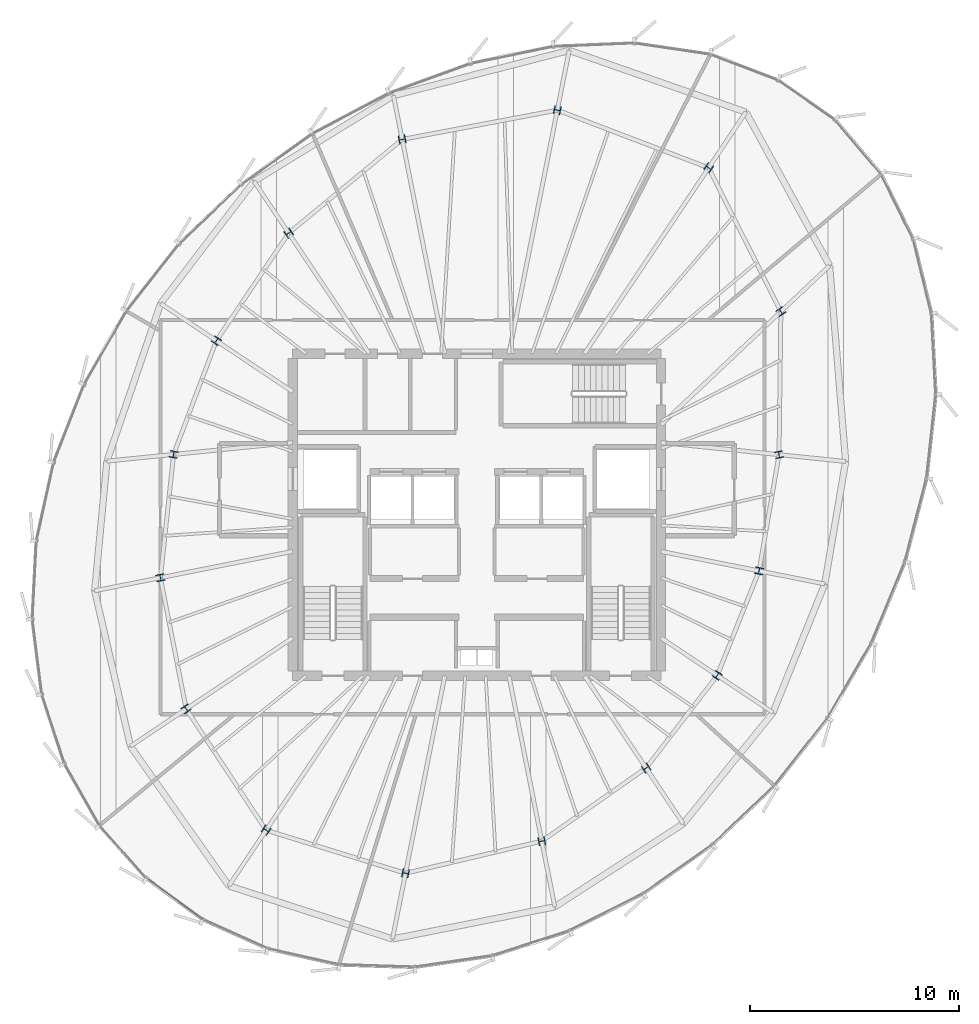
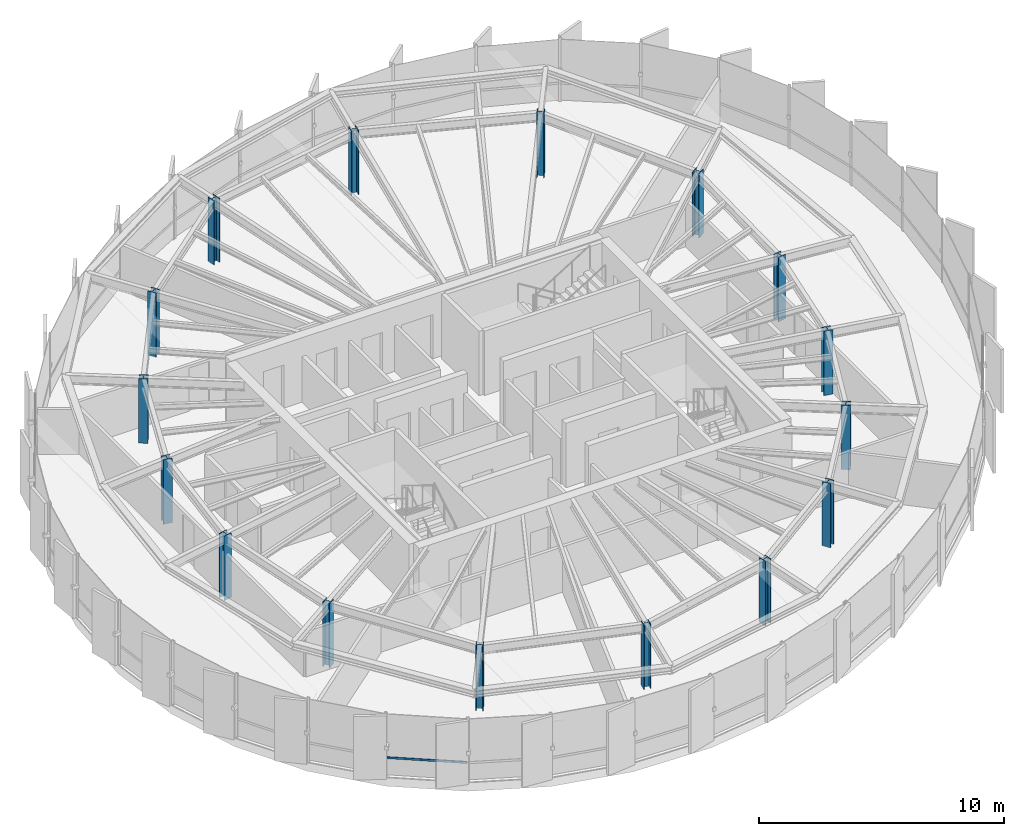
# One storey, part 1 of 36: 16 columns, 1 member, 1 element without a shape of its own.
"""IFC4 building model written with IfcOpenShell, lengths in metres."""

from ifc_helpers import new_model, si_unit, direction, frame, origin, origin_2d, place, context, subcontext, project, spatial, hollow_rectangle, i_section, extrude, source, transform, mapped, material, layer, layer_set, material_profile, profile_set, type_object, element, aggregate, save


model = new_model("IFC4")

# Units and contexts
model_context = context("Model", 3, precision=1e-05, world=origin(), true_north=direction((0.0, 1.0)))
body_context = subcontext(model_context, "Body", "Model", "MODEL_VIEW")
ifc_project = project(units=[si_unit("LENGTHUNIT", "METRE"), si_unit("AREAUNIT", "SQUARE_METRE"), si_unit("VOLUMEUNIT", "CUBIC_METRE"), si_unit("PLANEANGLEUNIT", "RADIAN"), si_unit("MASSUNIT", "GRAM", prefix="KILO"), si_unit("THERMODYNAMICTEMPERATUREUNIT", "KELVIN")], contexts=[model_context])

# Site, building, storey
site_placement = place(None, origin())
site = spatial("IfcSite", under=ifc_project, at=site_placement, CompositionType="ELEMENT")
building_placement = place(site_placement, origin())
building = spatial("IfcBuilding", under=site, at=building_placement, Name="Kethvar Cultural Tower", CompositionType="ELEMENT")
storey_placement = place(building_placement, frame((0.0, 0.0, 228.39990234375)))
storey = spatial("IfcBuildingStorey", under=building, at=storey_placement, Name="L59", CompositionType="ELEMENT", Elevation=228.39990234375)

# Columns
ifc_material_1 = material(Name="Steel S460M", Category="steel")
ifc_material_profile_1 = material_profile(ifc_material_1, i_section(OverallWidth=0.386962890625, OverallDepth=0.31591796875, WebThickness=0.0185546875, FlangeThickness=0.028076171875, FilletRadius=0.014892578125, at=origin_2d()), Name="Steel S460M — HD400x382")
ifc_profile_set_1 = profile_set([ifc_material_profile_1], Name="Steel S460M — HD400x382")
column_type = type_object("IfcColumnType", Name="COL-HD382", PredefinedType="COLUMN", material=ifc_profile_set_1)
shared_shape_1 = source(origin(), body_context, "Body", "SweptSolid", [
    extrude(i_section(OverallWidth=0.386962890625, OverallDepth=0.31591796875, WebThickness=0.0185546875, FlangeThickness=0.028076171875, FilletRadius=0.014892578125, at=origin_2d()), origin(), (0.0, 0.0, 1.0), 3.210205078125),
])
for number, where, z_axis, x_axis, name in (
    (1, (61.237060546875, 30.671630859375, 0.0), (0.0, 0.0, 1.0), (0.980785280403, 0.195090322016, 0.0), "L59 Mega-Column MC-01"),
    (2, (61.32568359375, 37.505859375, 0.0), (0.0, 0.0, 1.0), (0.831469612303, 0.55557023302, 0.0), "L59 Mega-Column MC-02"),
    (3, (57.875244140625, 44.375, 0.0), (0.0, 0.0, 1.0), (0.55557023302, 0.831469612303, 0.0), "L59 Mega-Column MC-03"),
    (4, (50.645263671875, 47.131591796875, 0.0), (0.0, 0.0, 1.0), (0.195090322016, 0.980785280403, 0.0), "L59 Mega-Column MC-04"),
    (5, (43.23291015625, 45.732421875, 0.0), (0.0, 0.0, 1.0), (-0.195090322016, 0.980785280403, 0.0), "L59 Mega-Column MC-05"),
    (6, (37.8095703125, 41.255126953125, 0.0), (0.0, 0.0, 1.0), (-0.55557023302, 0.831469612303, 0.0), "L59 Mega-Column MC-06"),
    (7, (34.35595703125, 36.114990234375, 0.0), (0.0, 0.0, 1.0), (-0.831469612303, 0.55557023302, 0.0), "L59 Mega-Column MC-07"),
    (8, (32.3125, 30.681884765625, 0.0), (0.0, 0.0, 1.0), (-0.980785280403, 0.195090322016, 0.0), "L59 Mega-Column MC-08"),
    (9, (31.68310546875, 24.79296875, 0.0), (0.0, 0.0, 1.0), (-0.980785280403, -0.195090322016, 0.0), "L59 Mega-Column MC-09"),
    (10, (32.912841796875, 18.52099609375, 0.0), (0.0, 0.0, 1.0), (-0.831469612303, -0.55557023302, 0.0), "L59 Mega-Column MC-10"),
    (11, (36.731201171875, 12.73095703125, 0.0), (0.0, 0.0, 1.0), (-0.55557023302, -0.831469612303, 0.0), "L59 Mega-Column MC-11"),
    (12, (43.392822265625, 10.67138671875, 0.0), (0.0, 0.0, 1.0), (-0.195090322016, -0.980785280403, 0.0), "L59 Mega-Column MC-12"),
    (13, (49.901611328125, 12.206787109375, 0.0), (0.0, 0.0, 1.0), (0.195090322016, -0.980785280403, 0.0), "L59 Mega-Column MC-13"),
    (14, (54.885009765625, 15.7001953125, 0.0), (0.0, 0.0, 1.0), (0.55557023302, -0.831469612303, 0.0), "L59 Mega-Column MC-14"),
    (15, (58.287109375, 20.12451171875, 0.0), (0.0, 0.0, 1.0), (0.831469612303, -0.55557023302, 0.0), "L59 Mega-Column MC-15"),
    (16, (60.28369140625, 25.117919921875, 0.0), (0.0, 0.0, 1.0), (0.980785280403, -0.195090322016, 0.0), "L59 Mega-Column MC-16"),
):
    element("IfcColumn", number, at=place(storey_placement, frame(where, z_axis=z_axis, x_axis=x_axis)), inside=storey, type_object=column_type, Name=name, PredefinedType="COLUMN", context=body_context, shape_type="MappedRepresentation", body=[
        mapped(shared_shape_1, transform((0.0, 0.0, 0.0), scale=1.0)),
    ])

# Curtain wall, member
ifc_material_2 = material(Name="Aluminium 6063-T6", Category="aluminium")
ifc_layer = layer(ifc_material_2, 0.179931640625, Name="Aluminium 6063-T6", Category="aluminium")
ifc_layer_set = layer_set([ifc_layer], Name="Aluminium 6063-T6 (180 mm)")
curtain_wall_type = type_object("IfcCurtainWallType", Name="CW-SYS-05-Z56", PredefinedType="NOTDEFINED", material=ifc_layer_set)
curtain_wall_placement = place(storey_placement, origin())
curtain_wall = element("IfcCurtainWall", 17, at=curtain_wall_placement, inside=storey, type_object=curtain_wall_type, Name="L59 Curtain Wall Run 04", PredefinedType="NOTDEFINED")
ifc_material_profile_2 = material_profile(ifc_material_2, hollow_rectangle(XDim=0.050048828125, YDim=0.10009765625, WallThickness=0.00390625, at=origin_2d()), Name="Aluminium 6063-T6 — RHS100x50x4")
ifc_profile_set_2 = profile_set([ifc_material_profile_2], Name="Aluminium 6063-T6 — RHS100x50x4")
member_type = type_object("IfcMemberType", Name="CW-SYS-05-Z56-TRN", PredefinedType="USERDEFINED", material=ifc_profile_set_2)
shared_shape_2 = source(origin(), body_context, "Body", "SweptSolid", [
    extrude(hollow_rectangle(XDim=0.050048828125, YDim=0.10009765625, WallThickness=0.00390625, at=origin_2d()), origin(), (0.0, 0.0, 1.0), 3.29345703125),
])
member_placement = place(storey_placement, frame((31.0361328125, 10.43310546875, 0.9501953125), z_axis=(0.806876069616, -0.590720753217, 0.0), x_axis=(0.590720753217, 0.806876069616, 0.0)))
member = element("IfcMember", 18, at=member_placement, type_object=member_type, Name="CW-L59-R04 Transom 1", ObjectType="TRANSOM", PredefinedType="USERDEFINED", context=body_context, shape_type="MappedRepresentation", body=[
    mapped(shared_shape_2, transform((0.0, 0.0, 0.0), scale=1.0)),
])
aggregate(curtain_wall, [member])

save(model, "model.ifc")
